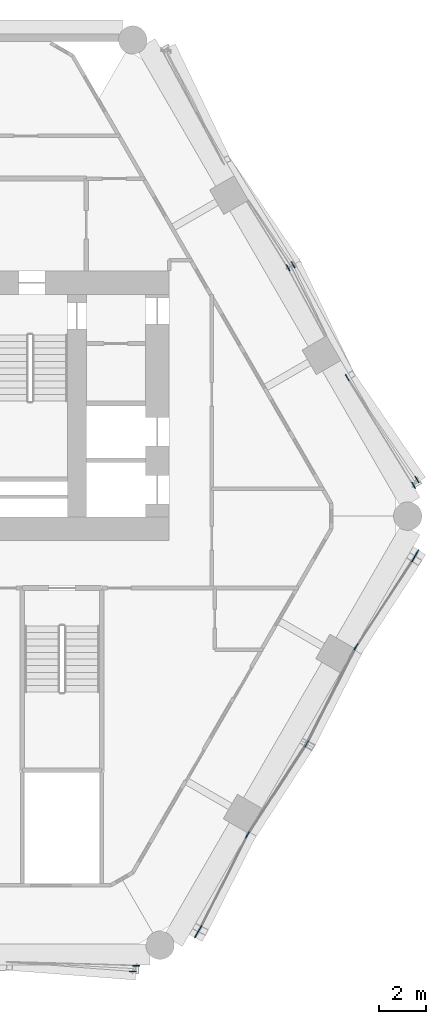
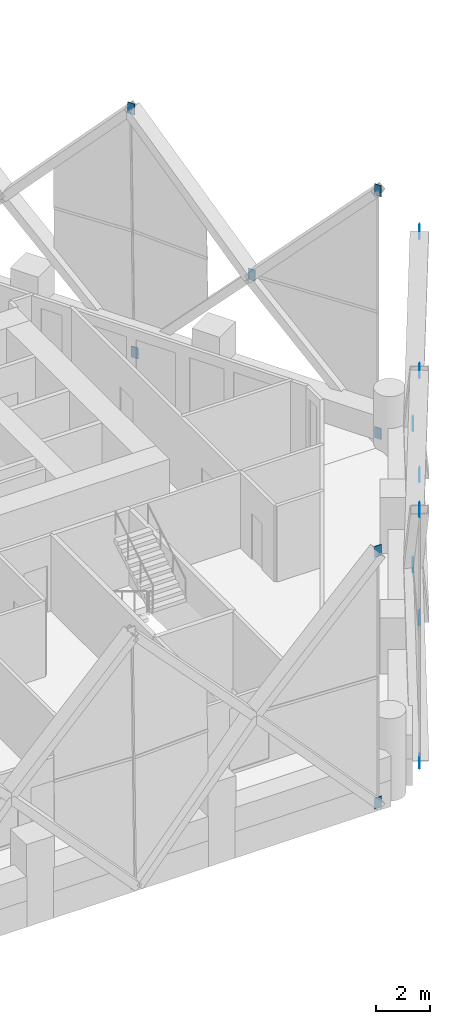
# One storey, part 19 of 21: 15 discrete accessories.
"""IFC4 building model written with IfcOpenShell, lengths in metres."""

from ifc_helpers import new_model, si_unit, direction, frame, origin, origin_2d, place, context, subcontext, project, spatial, rectangle, extrude, material, layer, layer_set, type_object, element, save


model = new_model("IFC4")

# Units and contexts
model_context = context("Model", 3, precision=1e-05, world=origin(), true_north=direction((0.0, 1.0)))
body_context = subcontext(model_context, "Body", "Model", "MODEL_VIEW")
ifc_project = project(units=[si_unit("LENGTHUNIT", "METRE"), si_unit("AREAUNIT", "SQUARE_METRE"), si_unit("VOLUMEUNIT", "CUBIC_METRE"), si_unit("PLANEANGLEUNIT", "RADIAN"), si_unit("MASSUNIT", "GRAM", prefix="KILO")], contexts=[model_context])

# Site, building, storey
site_placement = place(None, origin())
site = spatial("IfcSite", under=ifc_project, at=site_placement, CompositionType="ELEMENT")
building_placement = place(site_placement, origin())
building = spatial("IfcBuilding", under=site, at=building_placement, Name="Ostrander Bayou Hotel Tower", CompositionType="ELEMENT")
storey_placement = place(building_placement, frame((0.0, 0.0, 116.0)))
storey = spatial("IfcBuildingStorey", under=building, at=storey_placement, Name="L28", CompositionType="ELEMENT", Elevation=116.0)

# Discrete accessories
ifc_material = material(Name="Steel ASTM A572 Gr 50", Category="steel")
ifc_layer = layer(ifc_material, 0.030029296875)
ifc_layer_set = layer_set([ifc_layer], Name="GP1 gusset plate 30 mm")
discrete_accessory_type = type_object("IfcDiscreteAccessoryType", Name="GP1 gusset plate 30 mm", PredefinedType="BRACKET", material=ifc_layer_set)
for number, where, z_axis, x_axis, name in (
    (1, (10.46875, -19.904541015625, -0.85009765625), (0.0, 0.0, 1.0), (1.0, 0.0, 0.0), "GP1 gusset plate lat 174"),
    (2, (10.610595703125, -19.658935546875, 10.39990234375), (0.0, 0.0, 1.0), (1.0, 0.0, 0.0), "GP1 gusset plate lat 175"),
    (3, (15.30908203125, -14.135498046875, 4.77490234375), (0.0, 0.0, 1.0), (0.5, 0.866025403784, 0.0), "GP1 gusset plate lat 176"),
    (4, (13.156005859375, -18.35302734375, -0.85009765625), (0.0, 0.0, 1.0), (0.5, 0.866025403784, 0.0), "GP1 gusset plate lat 177"),
    (5, (13.2978515625, -18.107421875, 10.39990234375), (0.0, 0.0, 1.0), (0.5, 0.866025403784, 0.0), "GP1 gusset plate lat 178"),
    (6, (17.814208984375, -10.284912109375, -0.85009765625), (0.0, 0.0, 1.0), (0.5, 0.866025403784, 0.0), "GP1 gusset plate lat 179"),
    (7, (17.814208984375, -10.284912109375, 10.39990234375), (0.0, 0.0, 1.0), (0.5, 0.866025403784, 0.0), "GP1 gusset plate lat 180"),
    (8, (19.896240234375, -6.190185546875, 4.77490234375), (0.0, 0.0, 1.0), (0.5, 0.866025403784, 0.0), "GP1 gusset plate lat 181"),
    (9, (22.47216796875, -2.217041015625, -0.85009765625), (0.0, 0.0, 1.0), (0.5, 0.866025403784, 0.0), "GP1 gusset plate lat 182"),
    (10, (22.33056640625, -2.46240234375, 10.39990234375), (0.0, 0.0, 1.0), (0.5, 0.866025403784, 0.0), "GP1 gusset plate lat 183"),
    (11, (19.52880859375, 5.18994140625, 4.77490234375), (0.0, 0.0, 1.0), (-0.5, 0.866025403784, 0.0), "GP1 gusset plate lat 184"),
    (12, (22.47216796875, 0.885986328125, -0.85009765625), (0.0, 0.0, 1.0), (-0.5, 0.866025403784, 0.0), "GP1 gusset plate lat 185"),
    (13, (22.33056640625, 0.640380859375, 10.39990234375), (0.0, 0.0, 1.0), (-0.5, 0.866025403784, 0.0), "GP1 gusset plate lat 186"),
    (14, (17.23779296875, 9.9521484375, -0.85009765625), (0.0, 0.0, 1.0), (-0.5, 0.866025403784, 0.0), "GP1 gusset plate lat 187"),
    (15, (17.025146484375, 9.82958984375, 10.39990234375), (0.0, 0.0, 1.0), (-0.5, 0.866025403784, 0.0), "GP1 gusset plate lat 188"),
):
    element("IfcDiscreteAccessory", number, at=place(storey_placement, frame(where, z_axis=z_axis, x_axis=x_axis)), inside=storey, type_object=discrete_accessory_type, Name=name, PredefinedType="BRACKET", context=body_context, shape_type="SweptSolid", body=[
        extrude(rectangle(XDim=0.300048828125, YDim=0.030029296875, at=origin_2d()), origin(), (0.0, 0.0, 1.0), 0.5),
    ])

save(model, "model.ifc")
